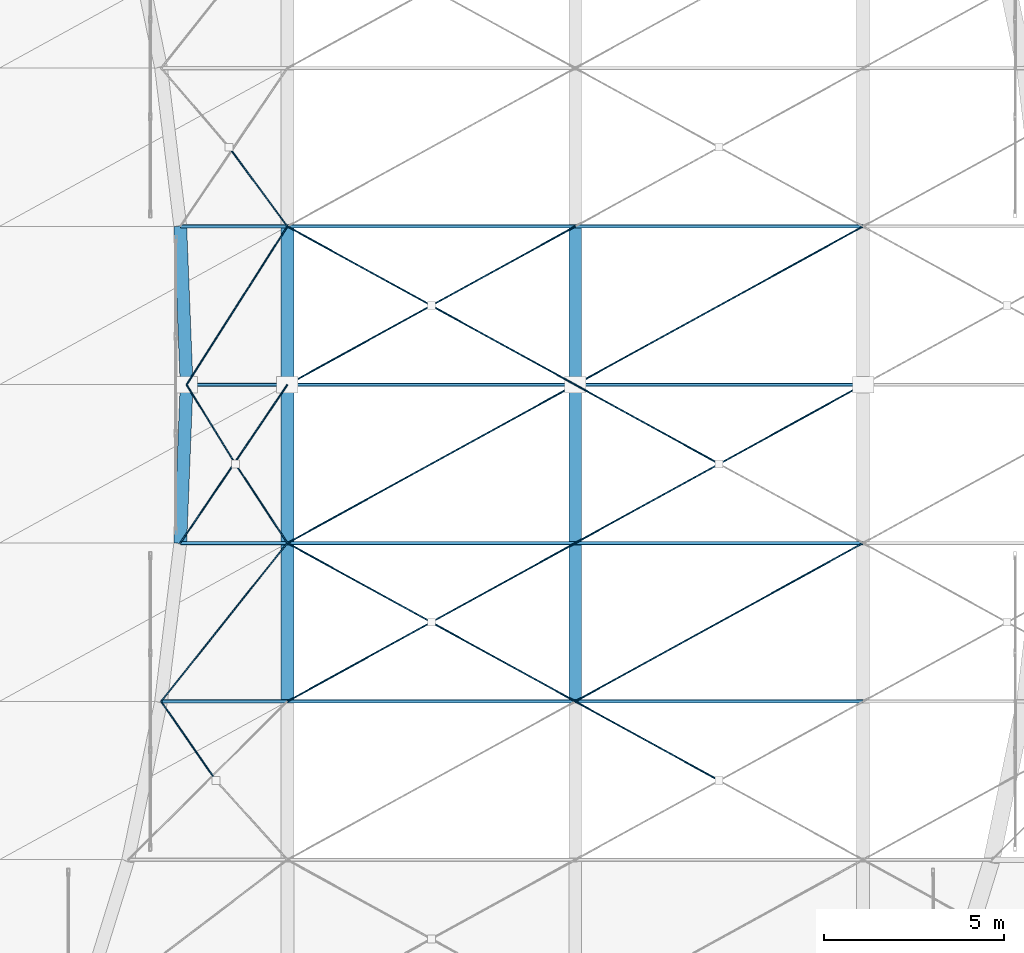
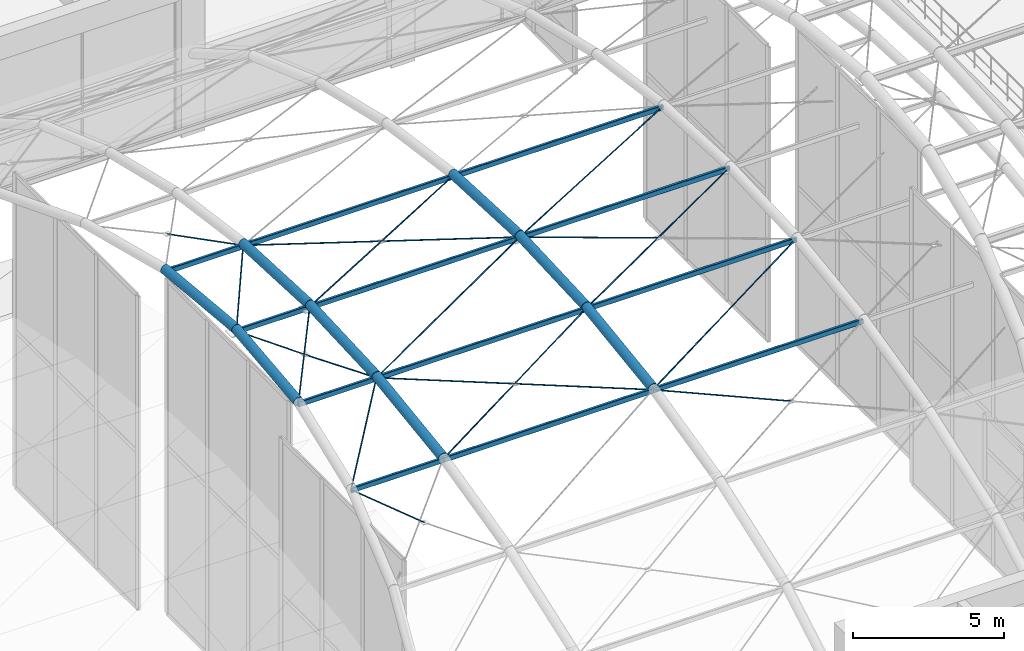
# One storey, part 15 of 163: 20 beams, 19 members.
"""IFC4 building model written with IfcOpenShell, lengths in metres."""

from ifc_helpers import new_model, si_unit, direction, frame, origin, origin_2d, place, context, subcontext, project, spatial, hollow_rectangle, circle, hollow_circle, extrude, material, material_profile, profile_set, type_object, element, save


model = new_model("IFC4")

# Units and contexts
model_context = context("Model", 3, precision=1e-05, world=origin(), true_north=direction((0.0, 1.0)))
body_context = subcontext(model_context, "Body", "Model", "MODEL_VIEW")
ifc_project = project(units=[si_unit("LENGTHUNIT", "METRE"), si_unit("AREAUNIT", "SQUARE_METRE"), si_unit("VOLUMEUNIT", "CUBIC_METRE"), si_unit("PLANEANGLEUNIT", "RADIAN"), si_unit("MASSUNIT", "GRAM", prefix="KILO")], contexts=[model_context])

# Site, building, storey
site_placement = place(None, origin())
site = spatial("IfcSite", under=ifc_project, at=site_placement, CompositionType="ELEMENT")
building_placement = place(site_placement, origin())
building = spatial("IfcBuilding", under=site, at=building_placement, Name="Varnabhumi Central Station", CompositionType="ELEMENT")
storey_placement = place(building_placement, frame((0.0, 0.0, 9.60009765625)))
storey = spatial("IfcBuildingStorey", under=building, at=storey_placement, Name="L02", CompositionType="ELEMENT", Elevation=9.60009765625)

# Beams
ifc_material_1 = material(Name="Structural steel E350", Category="steel")
ifc_material_profile_1 = material_profile(ifc_material_1, hollow_circle(Radius=0.177734375, WallThickness=0.012451171875, at=origin_2d()), Name="Structural steel E350", Category="steel")
ifc_profile_set_1 = profile_set([ifc_material_profile_1], Name="Structural steel E350")
beam_type_1 = type_object("IfcBeamType", Name="BM-ARCH-CHS355", PredefinedType="BEAM", material=ifc_profile_set_1)
for number, where, z_axis, x_axis, name in (
    (1, (21.0244140625, 53.60009765625, 8.79736328125), (0.039821828049, 0.998148797073, 0.045969565063), (-0.999205116003, 0.039863970614, 0.0), "Entrance Portico Vault Arch Rib 1 Seg 5"),
    (2, (21.199951171875, 58.0, 9.0), (-0.039821828049, 0.998148797073, -0.045969565063), (-0.999205116003, -0.039863970614, 0.0), "Entrance Portico Vault Arch Rib 1 Seg 6"),
):
    element("IfcBeam", number, at=place(storey_placement, frame(where, z_axis=z_axis, x_axis=x_axis)), inside=storey, type_object=beam_type_1, Name=name, PredefinedType="BEAM", context=body_context, shape_type="SweptSolid", body=[
        extrude(hollow_circle(Radius=0.177734375, WallThickness=0.012451171875, at=origin_2d()), origin(), (0.0, 0.0, 1.0), 4.407958984375),
    ])
beam_1_placement = place(storey_placement, frame((24.0, 49.199951171875, 8.182373046875), z_axis=(0.0, 0.99037356126, 0.138420407303), x_axis=(-1.0, 0.0, 0.0)))
element("IfcBeam", 3, at=beam_1_placement, inside=storey, type_object=beam_type_1, Name="Entrance Portico Vault Arch Rib 2 Seg 4", PredefinedType="BEAM", context=body_context, shape_type="SweptSolid", body=[
    extrude(hollow_circle(Radius=0.177734375, WallThickness=0.012451171875, at=origin_2d()), origin(), (0.0, 0.0, 1.0), 4.44287109375),
])
for number, where, z_axis, x_axis, name in (
    (4, (24.0, 53.60009765625, 8.79736328125), (0.0, 0.998941160779, 0.046006057233), (-1.0, 0.0, 0.0), "Entrance Portico Vault Arch Rib 2 Seg 5"),
    (5, (24.0, 58.0, 9.0), (0.0, 0.998941160779, -0.046006057233), (-1.0, 0.0, 0.0), "Entrance Portico Vault Arch Rib 2 Seg 6"),
):
    element("IfcBeam", number, at=place(storey_placement, frame(where, z_axis=z_axis, x_axis=x_axis)), inside=storey, type_object=beam_type_1, Name=name, PredefinedType="BEAM", context=body_context, shape_type="SweptSolid", body=[
        extrude(hollow_circle(Radius=0.177734375, WallThickness=0.012451171875, at=origin_2d()), origin(), (0.0, 0.0, 1.0), 4.404541015625),
    ])
beam_2_placement = place(storey_placement, frame((32.0, 49.199951171875, 8.182373046875), z_axis=(0.0, 0.99037356126, 0.138420407303), x_axis=(-1.0, 0.0, 0.0)))
element("IfcBeam", 6, at=beam_2_placement, inside=storey, type_object=beam_type_1, Name="Entrance Portico Vault Arch Rib 3 Seg 4", PredefinedType="BEAM", context=body_context, shape_type="SweptSolid", body=[
    extrude(hollow_circle(Radius=0.177734375, WallThickness=0.012451171875, at=origin_2d()), origin(), (0.0, 0.0, 1.0), 4.44287109375),
])
for number, where, z_axis, x_axis, name in (
    (7, (32.0, 53.60009765625, 8.79736328125), (0.0, 0.998941160779, 0.046006057233), (-1.0, 0.0, 0.0), "Entrance Portico Vault Arch Rib 3 Seg 5"),
    (8, (32.0, 58.0, 9.0), (0.0, 0.998941160779, -0.046006057233), (-1.0, 0.0, 0.0), "Entrance Portico Vault Arch Rib 3 Seg 6"),
):
    element("IfcBeam", number, at=place(storey_placement, frame(where, z_axis=z_axis, x_axis=x_axis)), inside=storey, type_object=beam_type_1, Name=name, PredefinedType="BEAM", context=body_context, shape_type="SweptSolid", body=[
        extrude(hollow_circle(Radius=0.177734375, WallThickness=0.012451171875, at=origin_2d()), origin(), (0.0, 0.0, 1.0), 4.404541015625),
    ])
ifc_material_profile_2 = material_profile(ifc_material_1, hollow_rectangle(XDim=0.10009765625, YDim=0.199951171875, WallThickness=0.008056640625, InnerFilletRadius=0.008056640625, OuterFilletRadius=0.01611328125, at=origin_2d()), Name="Structural steel E350", Category="steel")
ifc_profile_set_2 = profile_set([ifc_material_profile_2], Name="Structural steel E350")
beam_type_2 = type_object("IfcBeamType", Name="BM-PUR-RHS200", PredefinedType="JOIST", material=ifc_profile_set_2)
beam_3_placement = place(storey_placement, frame((20.491455078125, 49.199951171875, 8.082275390625), z_axis=(1.0, 0.0, 0.0), x_axis=(0.0, 1.0, 0.0)))
element("IfcBeam", 9, at=beam_3_placement, inside=storey, type_object=beam_type_2, Name="Entrance Portico Vault Purlin B1-L3", PredefinedType="JOIST", context=body_context, shape_type="SweptSolid", body=[
    extrude(hollow_rectangle(XDim=0.10009765625, YDim=0.199951171875, WallThickness=0.008056640625, InnerFilletRadius=0.008056640625, OuterFilletRadius=0.01611328125, at=origin_2d()), origin(), (0.0, 0.0, 1.0), 3.508544921875),
])
beam_4_placement = place(storey_placement, frame((21.0244140625, 53.60009765625, 8.697265625), z_axis=(1.0, 0.0, 0.0), x_axis=(0.0, 1.0, 0.0)))
element("IfcBeam", 10, at=beam_4_placement, inside=storey, type_object=beam_type_2, Name="Entrance Portico Vault Purlin B1-L4", PredefinedType="JOIST", context=body_context, shape_type="SweptSolid", body=[
    extrude(hollow_rectangle(XDim=0.10009765625, YDim=0.199951171875, WallThickness=0.008056640625, InnerFilletRadius=0.008056640625, OuterFilletRadius=0.01611328125, at=origin_2d()), origin(), (0.0, 0.0, 1.0), 2.9755859375),
])
beam_5_placement = place(storey_placement, frame((21.199951171875, 58.0, 8.89990234375), z_axis=(1.0, 0.0, 0.0), x_axis=(0.0, 1.0, 0.0)))
element("IfcBeam", 11, at=beam_5_placement, inside=storey, type_object=beam_type_2, Name="Entrance Portico Vault Purlin B1-L5", PredefinedType="JOIST", context=body_context, shape_type="SweptSolid", body=[
    extrude(hollow_rectangle(XDim=0.10009765625, YDim=0.199951171875, WallThickness=0.008056640625, InnerFilletRadius=0.008056640625, OuterFilletRadius=0.01611328125, at=origin_2d()), origin(), (0.0, 0.0, 1.0), 2.800048828125),
])
beam_6_placement = place(storey_placement, frame((21.0244140625, 62.39990234375, 8.697265625), z_axis=(1.0, 0.0, 0.0), x_axis=(0.0, 1.0, 0.0)))
element("IfcBeam", 12, at=beam_6_placement, inside=storey, type_object=beam_type_2, Name="Entrance Portico Vault Purlin B1-L6", PredefinedType="JOIST", context=body_context, shape_type="SweptSolid", body=[
    extrude(hollow_rectangle(XDim=0.10009765625, YDim=0.199951171875, WallThickness=0.008056640625, InnerFilletRadius=0.008056640625, OuterFilletRadius=0.01611328125, at=origin_2d()), origin(), (0.0, 0.0, 1.0), 2.9755859375),
])
for number, where, z_axis, x_axis, name in (
    (13, (24.0, 49.199951171875, 8.082275390625), (1.0, 0.0, 0.0), (0.0, 1.0, 0.0), "Entrance Portico Vault Purlin B2-L3"),
    (14, (24.0, 53.60009765625, 8.697265625), (1.0, 0.0, 0.0), (0.0, 1.0, 0.0), "Entrance Portico Vault Purlin B2-L4"),
    (15, (24.0, 58.0, 8.89990234375), (1.0, 0.0, 0.0), (0.0, 1.0, 0.0), "Entrance Portico Vault Purlin B2-L5"),
    (16, (24.0, 62.39990234375, 8.697265625), (1.0, 0.0, 0.0), (0.0, 1.0, 0.0), "Entrance Portico Vault Purlin B2-L6"),
    (17, (32.0, 49.199951171875, 8.082275390625), (1.0, 0.0, 0.0), (0.0, 1.0, 0.0), "Entrance Portico Vault Purlin B3-L3"),
    (18, (32.0, 53.60009765625, 8.697265625), (1.0, 0.0, 0.0), (0.0, 1.0, 0.0), "Entrance Portico Vault Purlin B3-L4"),
    (19, (32.0, 58.0, 8.89990234375), (1.0, 0.0, 0.0), (0.0, 1.0, 0.0), "Entrance Portico Vault Purlin B3-L5"),
    (20, (32.0, 62.39990234375, 8.697265625), (1.0, 0.0, 0.0), (0.0, 1.0, 0.0), "Entrance Portico Vault Purlin B3-L6"),
):
    element("IfcBeam", number, at=place(storey_placement, frame(where, z_axis=z_axis, x_axis=x_axis)), inside=storey, type_object=beam_type_2, Name=name, PredefinedType="JOIST", context=body_context, shape_type="SweptSolid", body=[
        extrude(hollow_rectangle(XDim=0.10009765625, YDim=0.199951171875, WallThickness=0.008056640625, InnerFilletRadius=0.008056640625, OuterFilletRadius=0.01611328125, at=origin_2d()), origin(), (0.0, 0.0, 1.0), 8.0),
    ])

# Members
ifc_material_2 = material(Name="Spiral-strand steel S1570", Category="steel")
ifc_material_profile_3 = material_profile(ifc_material_2, circle(Radius=0.01806640625, at=origin_2d()), Name="Spiral-strand steel S1570", Category="steel")
ifc_profile_set_3 = profile_set([ifc_material_profile_3], Name="Spiral-strand steel S1570")
member_type = type_object("IfcMemberType", Name="MBR-CABLE-D36", PredefinedType="USERDEFINED", material=ifc_profile_set_3)
member_1_placement = place(storey_placement, frame((20.491455078125, 49.199951171875, 8.102294921875), z_axis=(0.559120544173, -0.806246635228, -0.193262982143), x_axis=(0.821738885077, 0.569864198518, 0.0)))
element("IfcMember", 21, at=member_1_placement, inside=storey, type_object=member_type, Name="Entrance Portico Vault Cable-Net Split Tie B1-P3B1", ObjectType="TENSION CABLE", PredefinedType="USERDEFINED", context=body_context, shape_type="SweptSolid", body=[
    extrude(circle(Radius=0.01806640625, at=origin_2d()), origin(), (0.0, 0.0, 1.0), 2.728515625),
])
member_2_placement = place(storey_placement, frame((20.491455078125, 49.199951171875, 8.102294921875), z_axis=(0.619750892049, 0.777243777566, 0.108632140914), x_axis=(-0.78187087555, 0.623440401295, 0.0)))
element("IfcMember", 22, at=member_2_placement, inside=storey, type_object=member_type, Name="Entrance Portico Vault Cable-Net Tie B1-P4A", ObjectType="TENSION CABLE", PredefinedType="USERDEFINED", context=body_context, shape_type="SweptSolid", body=[
    extrude(circle(Radius=0.01806640625, at=origin_2d()), origin(), (0.0, 0.0, 1.0), 5.6611328125),
])
member_3_placement = place(storey_placement, frame((21.0244140625, 53.60009765625, 8.71728515625), z_axis=(0.559796416898, 0.827752791708, 0.038122007386), x_axis=(-0.828354929468, 0.560203633357, 0.0)))
element("IfcMember", 23, at=member_3_placement, inside=storey, type_object=member_type, Name="Entrance Portico Vault Cable-Net Tie B1-P5A", ObjectType="TENSION CABLE", PredefinedType="USERDEFINED", context=body_context, shape_type="SweptSolid", body=[
    extrude(circle(Radius=0.01806640625, at=origin_2d()), origin(), (0.0, 0.0, 1.0), 5.3154296875),
])
member_4_placement = place(storey_placement, frame((21.199951171875, 58.0, 8.919921875), z_axis=(0.524363838172, -0.85059271751, -0.039173896101), x_axis=(0.851246126943, 0.524766644675, 0.0)))
element("IfcMember", 24, at=member_4_placement, inside=storey, type_object=member_type, Name="Entrance Portico Vault Cable-Net Split Tie B1-P5B1", ObjectType="TENSION CABLE", PredefinedType="USERDEFINED", context=body_context, shape_type="SweptSolid", body=[
    extrude(circle(Radius=0.01806640625, at=origin_2d()), origin(), (0.0, 0.0, 1.0), 2.58642578125),
])
member_5_placement = place(storey_placement, frame((22.55615234375, 55.800048828125, 8.818603515625), z_axis=(0.548284632299, -0.835406293819, -0.038474488063), x_axis=(0.836025301353, 0.548690892487, 0.0)))
element("IfcMember", 25, at=member_5_placement, inside=storey, type_object=member_type, Name="Entrance Portico Vault Cable-Net Split Tie B1-P5B2", ObjectType="TENSION CABLE", PredefinedType="USERDEFINED", context=body_context, shape_type="SweptSolid", body=[
    extrude(circle(Radius=0.01806640625, at=origin_2d()), origin(), (0.0, 0.0, 1.0), 2.63330078125),
])
member_6_placement = place(storey_placement, frame((21.199951171875, 58.0, 8.919921875), z_axis=(0.536485836633, 0.843015759683, -0.038824940658), x_axis=(-0.843651849763, 0.536890637273, 0.0)))
element("IfcMember", 26, at=member_6_placement, inside=storey, type_object=member_type, Name="Entrance Portico Vault Cable-Net Tie B1-P6A", ObjectType="TENSION CABLE", PredefinedType="USERDEFINED", context=body_context, shape_type="SweptSolid", body=[
    extrude(circle(Radius=0.01806640625, at=origin_2d()), origin(), (0.0, 0.0, 1.0), 5.21923828125),
])
member_7_placement = place(storey_placement, frame((22.37890625, 64.60009765625, 8.409912109375), z_axis=(0.589458139295, -0.800029631223, 0.111766234544), x_axis=(0.805073799921, 0.593174659507, 0.0)))
element("IfcMember", 27, at=member_7_placement, inside=storey, type_object=member_type, Name="Entrance Portico Vault Cable-Net Split Tie B1-P7B2", ObjectType="TENSION CABLE", PredefinedType="USERDEFINED", context=body_context, shape_type="SweptSolid", body=[
    extrude(circle(Radius=0.01806640625, at=origin_2d()), origin(), (0.0, 0.0, 1.0), 2.750244140625),
])
member_8_placement = place(storey_placement, frame((24.0, 49.199951171875, 8.102294921875), z_axis=(0.874228176797, 0.480841504835, 0.067205223918), x_axis=(-0.481931067474, 0.876209133828, 0.0)))
element("IfcMember", 28, at=member_8_placement, inside=storey, type_object=member_type, Name="Entrance Portico Vault Cable-Net Tie B2-P4A", ObjectType="TENSION CABLE", PredefinedType="USERDEFINED", context=body_context, shape_type="SweptSolid", body=[
    extrude(circle(Radius=0.01806640625, at=origin_2d()), origin(), (0.0, 0.0, 1.0), 9.15087890625),
])
for number, where, z_axis, x_axis, name in (
    (29, (24.0, 53.60009765625, 8.71728515625), (0.874218528757, -0.480862877268, -0.067177803205), (0.481951596342, 0.876197842262, 0.0), "Entrance Portico Vault Cable-Net Split Tie B2-P4B1"),
    (30, (28.0, 51.39990234375, 8.409912109375), (0.874237823913, -0.480820131304, -0.06723264515), (0.481910537812, 0.876220425204, 0.0), "Entrance Portico Vault Cable-Net Split Tie B2-P4B2"),
):
    element("IfcMember", number, at=place(storey_placement, frame(where, z_axis=z_axis, x_axis=x_axis)), inside=storey, type_object=member_type, Name=name, ObjectType="TENSION CABLE", PredefinedType="USERDEFINED", context=body_context, shape_type="SweptSolid", body=[
        extrude(circle(Radius=0.01806640625, at=origin_2d()), origin(), (0.0, 0.0, 1.0), 4.575439453125),
    ])
for number, where, z_axis, x_axis, name in (
    (31, (24.0, 53.60009765625, 8.71728515625), (0.876004697448, 0.48179189018, 0.022188839688), (-0.481910537812, 0.876220425204, 0.0), "Entrance Portico Vault Cable-Net Tie B2-P5A"),
    (32, (24.0, 58.0, 8.919921875), (0.876004697448, 0.48179189018, -0.022188839688), (-0.481910537812, 0.876220425204, 0.0), "Entrance Portico Vault Cable-Net Tie B2-P6A"),
):
    element("IfcMember", number, at=place(storey_placement, frame(where, z_axis=z_axis, x_axis=x_axis)), inside=storey, type_object=member_type, Name=name, ObjectType="TENSION CABLE", PredefinedType="USERDEFINED", context=body_context, shape_type="SweptSolid", body=[
        extrude(circle(Radius=0.01806640625, at=origin_2d()), origin(), (0.0, 0.0, 1.0), 9.13232421875),
    ])
for number, where, z_axis, x_axis, name in (
    (33, (24.0, 62.39990234375, 8.71728515625), (0.876004697448, -0.48179189018, 0.022188839688), (0.481910537812, 0.876220425204, 0.0), "Entrance Portico Vault Cable-Net Split Tie B2-P6B1"),
    (34, (28.0, 60.199951171875, 8.818603515625), (0.876004697448, -0.48179189018, 0.022188839688), (0.481910537812, 0.876220425204, 0.0), "Entrance Portico Vault Cable-Net Split Tie B2-P6B2"),
):
    element("IfcMember", number, at=place(storey_placement, frame(where, z_axis=z_axis, x_axis=x_axis)), inside=storey, type_object=member_type, Name=name, ObjectType="TENSION CABLE", PredefinedType="USERDEFINED", context=body_context, shape_type="SweptSolid", body=[
        extrude(circle(Radius=0.01806640625, at=origin_2d()), origin(), (0.0, 0.0, 1.0), 4.566162109375),
    ])
member_9_placement = place(storey_placement, frame((32.0, 49.199951171875, 8.102294921875), z_axis=(0.870432037619, -0.478726995299, -0.114754223709), x_axis=(0.481910537812, 0.876220425204, 0.0)))
element("IfcMember", 35, at=member_9_placement, inside=storey, type_object=member_type, Name="Entrance Portico Vault Cable-Net Split Tie B3-P3B1", ObjectType="TENSION CABLE", PredefinedType="USERDEFINED", context=body_context, shape_type="SweptSolid", body=[
    extrude(circle(Radius=0.01806640625, at=origin_2d()), origin(), (0.0, 0.0, 1.0), 4.595458984375),
])
member_10_placement = place(storey_placement, frame((32.0, 49.199951171875, 8.102294921875), z_axis=(0.874228176797, 0.480841504835, 0.067205223918), x_axis=(-0.481931067474, 0.876209133828, 0.0)))
element("IfcMember", 36, at=member_10_placement, inside=storey, type_object=member_type, Name="Entrance Portico Vault Cable-Net Tie B3-P4A", ObjectType="TENSION CABLE", PredefinedType="USERDEFINED", context=body_context, shape_type="SweptSolid", body=[
    extrude(circle(Radius=0.01806640625, at=origin_2d()), origin(), (0.0, 0.0, 1.0), 9.15087890625),
])
member_11_placement = place(storey_placement, frame((32.0, 53.60009765625, 8.71728515625), z_axis=(0.876004697448, 0.48179189018, 0.022188839688), x_axis=(-0.481910537812, 0.876220425204, 0.0)))
element("IfcMember", 37, at=member_11_placement, inside=storey, type_object=member_type, Name="Entrance Portico Vault Cable-Net Tie B3-P5A", ObjectType="TENSION CABLE", PredefinedType="USERDEFINED", context=body_context, shape_type="SweptSolid", body=[
    extrude(circle(Radius=0.01806640625, at=origin_2d()), origin(), (0.0, 0.0, 1.0), 9.13232421875),
])
member_12_placement = place(storey_placement, frame((32.0, 58.0, 8.919921875), z_axis=(0.876004697448, -0.48179189018, -0.022188839688), x_axis=(0.481910537812, 0.876220425204, 0.0)))
element("IfcMember", 38, at=member_12_placement, inside=storey, type_object=member_type, Name="Entrance Portico Vault Cable-Net Split Tie B3-P5B1", ObjectType="TENSION CABLE", PredefinedType="USERDEFINED", context=body_context, shape_type="SweptSolid", body=[
    extrude(circle(Radius=0.01806640625, at=origin_2d()), origin(), (0.0, 0.0, 1.0), 4.566162109375),
])
member_13_placement = place(storey_placement, frame((32.0, 58.0, 8.919921875), z_axis=(0.876004697448, 0.48179189018, -0.022188839688), x_axis=(-0.481910537812, 0.876220425204, 0.0)))
element("IfcMember", 39, at=member_13_placement, inside=storey, type_object=member_type, Name="Entrance Portico Vault Cable-Net Tie B3-P6A", ObjectType="TENSION CABLE", PredefinedType="USERDEFINED", context=body_context, shape_type="SweptSolid", body=[
    extrude(circle(Radius=0.01806640625, at=origin_2d()), origin(), (0.0, 0.0, 1.0), 9.13232421875),
])

save(model, "model.ifc")
